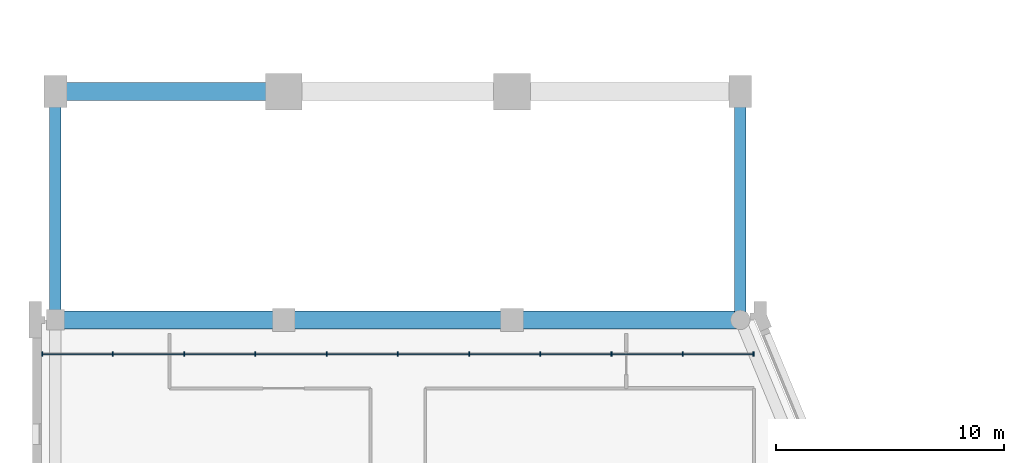
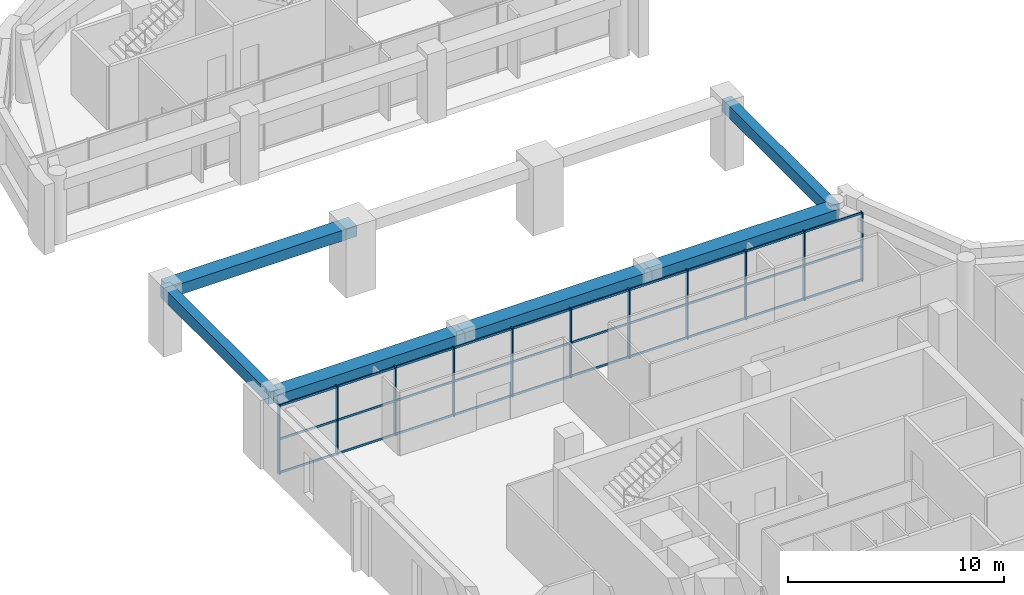
# One storey, part 2 of 11: 41 members, 6 beams, 1 element without a shape of its own.
"""IFC4 building model written with IfcOpenShell, lengths in metres."""

from ifc_helpers import new_model, si_unit, direction, frame, origin, origin_2d, place, context, subcontext, project, spatial, rectangle, extrude, material, layer, layer_set, material_profile, profile_set, type_object, element, aggregate, save


model = new_model("IFC4")

# Units and contexts
model_context = context("Model", 3, precision=1e-05, world=origin(), true_north=direction((0.0, 1.0)))
body_context = subcontext(model_context, "Body", "Model", "MODEL_VIEW")
ifc_project = project(units=[si_unit("LENGTHUNIT", "METRE"), si_unit("AREAUNIT", "SQUARE_METRE"), si_unit("VOLUMEUNIT", "CUBIC_METRE"), si_unit("PLANEANGLEUNIT", "RADIAN"), si_unit("MASSUNIT", "GRAM", prefix="KILO")], contexts=[model_context])

# Site, building, storey
site_placement = place(None, origin())
site = spatial("IfcSite", under=ifc_project, at=site_placement, CompositionType="ELEMENT")
building_placement = place(site_placement, origin())
building = spatial("IfcBuilding", under=site, at=building_placement, Name="Qaws Garden Tower", CompositionType="ELEMENT")
storey_placement = place(building_placement, frame((0.0, 0.0, 321.60009765625)))
storey = spatial("IfcBuildingStorey", under=building, at=storey_placement, Name="L78", CompositionType="ELEMENT", Elevation=321.60009765625)

# Curtain wall, members
ifc_material_1 = material(Name="Anodised aluminium curtain wall frame", Category="aluminium")
ifc_layer = layer(ifc_material_1, 0.159912109375)
ifc_layer_set = layer_set([ifc_layer], Name="Anodised aluminium curtain wall frame")
curtain_wall_type = type_object("IfcCurtainWallType", Name="CW5 portal screen curtain wall", PredefinedType="NOTDEFINED", material=ifc_layer_set)
curtain_wall_placement = place(storey_placement, origin())
curtain_wall = element("IfcCurtainWall", 1, at=curtain_wall_placement, inside=storey, type_object=curtain_wall_type, Name="CW5 Portal screen 0", PredefinedType="NOTDEFINED")
ifc_material_2 = material(Name="Anodised aluminium curtain wall frame", Category="aluminium")
ifc_material_profile_1 = material_profile(ifc_material_2, rectangle(XDim=0.199951171875, YDim=0.050048828125, at=origin_2d()), Name="AL 50x200")
ifc_profile_set_1 = profile_set([ifc_material_profile_1], Name="Anodised aluminium curtain wall frame")
member_type_1 = type_object("IfcMemberType", Name="CW5 mullion 50 x 200", PredefinedType="MULLION", material=ifc_profile_set_1)
member_1_placement = place(storey_placement, frame((-0.574951171875, 38.5, 0.0), z_axis=(0.0, 0.0, 1.0), x_axis=(0.0, 1.0, 0.0)))
member_1 = element("IfcMember", 2, at=member_1_placement, type_object=member_type_1, Name="CW5 mullion 1", PredefinedType="MULLION", context=body_context, shape_type="SweptSolid", body=[
    extrude(rectangle(XDim=0.199951171875, YDim=0.050048828125, at=origin_2d()), origin(), (0.0, 0.0, 1.0), 3.89990234375),
])
member_2_placement = place(storey_placement, frame((2.52001953125, 38.5, 0.0), z_axis=(0.0, 0.0, 1.0), x_axis=(0.0, 1.0, 0.0)))
member_2 = element("IfcMember", 3, at=member_2_placement, type_object=member_type_1, Name="CW5 mullion 2", PredefinedType="MULLION", context=body_context, shape_type="SweptSolid", body=[
    extrude(rectangle(XDim=0.199951171875, YDim=0.050048828125, at=origin_2d()), origin(), (0.0, 0.0, 1.0), 3.89990234375),
])
member_3_placement = place(storey_placement, frame((5.639892578125, 38.5, 0.0), z_axis=(0.0, 0.0, 1.0), x_axis=(0.0, 1.0, 0.0)))
member_3 = element("IfcMember", 4, at=member_3_placement, type_object=member_type_1, Name="CW5 mullion 3", PredefinedType="MULLION", context=body_context, shape_type="SweptSolid", body=[
    extrude(rectangle(XDim=0.199951171875, YDim=0.050048828125, at=origin_2d()), origin(), (0.0, 0.0, 1.0), 3.89990234375),
])
member_4_placement = place(storey_placement, frame((8.760009765625, 38.5, 0.0), z_axis=(0.0, 0.0, 1.0), x_axis=(0.0, 1.0, 0.0)))
member_4 = element("IfcMember", 5, at=member_4_placement, type_object=member_type_1, Name="CW5 mullion 4", PredefinedType="MULLION", context=body_context, shape_type="SweptSolid", body=[
    extrude(rectangle(XDim=0.199951171875, YDim=0.050048828125, at=origin_2d()), origin(), (0.0, 0.0, 1.0), 3.89990234375),
])
member_5_placement = place(storey_placement, frame((11.8798828125, 38.5, 0.0), z_axis=(0.0, 0.0, 1.0), x_axis=(0.0, 1.0, 0.0)))
member_5 = element("IfcMember", 6, at=member_5_placement, type_object=member_type_1, Name="CW5 mullion 5", PredefinedType="MULLION", context=body_context, shape_type="SweptSolid", body=[
    extrude(rectangle(XDim=0.199951171875, YDim=0.050048828125, at=origin_2d()), origin(), (0.0, 0.0, 1.0), 3.89990234375),
])
member_6_placement = place(storey_placement, frame((15.0, 38.5, 0.0), z_axis=(0.0, 0.0, 1.0), x_axis=(0.0, 1.0, 0.0)))
member_6 = element("IfcMember", 7, at=member_6_placement, type_object=member_type_1, Name="CW5 mullion 6", PredefinedType="MULLION", context=body_context, shape_type="SweptSolid", body=[
    extrude(rectangle(XDim=0.199951171875, YDim=0.050048828125, at=origin_2d()), origin(), (0.0, 0.0, 1.0), 3.89990234375),
])
member_7_placement = place(storey_placement, frame((18.1201171875, 38.5, 0.0), z_axis=(0.0, 0.0, 1.0), x_axis=(0.0, 1.0, 0.0)))
member_7 = element("IfcMember", 8, at=member_7_placement, type_object=member_type_1, Name="CW5 mullion 7", PredefinedType="MULLION", context=body_context, shape_type="SweptSolid", body=[
    extrude(rectangle(XDim=0.199951171875, YDim=0.050048828125, at=origin_2d()), origin(), (0.0, 0.0, 1.0), 3.89990234375),
])
member_8_placement = place(storey_placement, frame((21.239990234375, 38.5, 0.0), z_axis=(0.0, 0.0, 1.0), x_axis=(0.0, 1.0, 0.0)))
member_8 = element("IfcMember", 9, at=member_8_placement, type_object=member_type_1, Name="CW5 mullion 8", PredefinedType="MULLION", context=body_context, shape_type="SweptSolid", body=[
    extrude(rectangle(XDim=0.199951171875, YDim=0.050048828125, at=origin_2d()), origin(), (0.0, 0.0, 1.0), 3.89990234375),
])
member_9_placement = place(storey_placement, frame((24.360107421875, 38.5, 0.0), z_axis=(0.0, 0.0, 1.0), x_axis=(0.0, 1.0, 0.0)))
member_9 = element("IfcMember", 10, at=member_9_placement, type_object=member_type_1, Name="CW5 mullion 9", PredefinedType="MULLION", context=body_context, shape_type="SweptSolid", body=[
    extrude(rectangle(XDim=0.199951171875, YDim=0.050048828125, at=origin_2d()), origin(), (0.0, 0.0, 1.0), 3.89990234375),
])
member_10_placement = place(storey_placement, frame((27.47998046875, 38.5, 0.0), z_axis=(0.0, 0.0, 1.0), x_axis=(0.0, 1.0, 0.0)))
member_10 = element("IfcMember", 11, at=member_10_placement, type_object=member_type_1, Name="CW5 mullion 10", PredefinedType="MULLION", context=body_context, shape_type="SweptSolid", body=[
    extrude(rectangle(XDim=0.199951171875, YDim=0.050048828125, at=origin_2d()), origin(), (0.0, 0.0, 1.0), 3.89990234375),
])
member_11_placement = place(storey_placement, frame((30.574951171875, 38.5, 0.0), z_axis=(0.0, 0.0, 1.0), x_axis=(0.0, 1.0, 0.0)))
member_11 = element("IfcMember", 12, at=member_11_placement, type_object=member_type_1, Name="CW5 mullion 11", PredefinedType="MULLION", context=body_context, shape_type="SweptSolid", body=[
    extrude(rectangle(XDim=0.199951171875, YDim=0.050048828125, at=origin_2d()), origin(), (0.0, 0.0, 1.0), 3.89990234375),
])
ifc_material_3 = material(Name="Anodised aluminium curtain wall frame", Category="aluminium")
ifc_material_profile_2 = material_profile(ifc_material_3, rectangle(XDim=0.050048828125, YDim=0.1201171875, at=origin_2d()), Name="AL 50x120")
ifc_profile_set_2 = profile_set([ifc_material_profile_2], Name="Anodised aluminium curtain wall frame")
member_type_2 = type_object("IfcMemberType", Name="CW5 transom 120 x 50", PredefinedType="USERDEFINED", material=ifc_profile_set_2)
member_12_placement = place(storey_placement, frame((-0.550048828125, 38.5, 0.059814453125), z_axis=(1.0, 0.0, 0.0), x_axis=(0.0, 1.0, 0.0)))
member_12 = element("IfcMember", 13, at=member_12_placement, type_object=member_type_2, Name="CW5 transom 1.1", ObjectType="TRANSOM", PredefinedType="USERDEFINED", context=body_context, shape_type="SweptSolid", body=[
    extrude(rectangle(XDim=0.050048828125, YDim=0.1201171875, at=origin_2d()), origin(), (0.0, 0.0, 1.0), 3.045166015625),
])
member_13_placement = place(storey_placement, frame((-0.550048828125, 38.5, 1.949951171875), z_axis=(1.0, 0.0, 0.0), x_axis=(0.0, 1.0, 0.0)))
member_13 = element("IfcMember", 14, at=member_13_placement, type_object=member_type_2, Name="CW5 transom 1.2", ObjectType="TRANSOM", PredefinedType="USERDEFINED", context=body_context, shape_type="SweptSolid", body=[
    extrude(rectangle(XDim=0.050048828125, YDim=0.1201171875, at=origin_2d()), origin(), (0.0, 0.0, 1.0), 3.045166015625),
])
member_14_placement = place(storey_placement, frame((-0.550048828125, 38.5, 3.83984375), z_axis=(1.0, 0.0, 0.0), x_axis=(0.0, 1.0, 0.0)))
member_14 = element("IfcMember", 15, at=member_14_placement, type_object=member_type_2, Name="CW5 transom 1.3", ObjectType="TRANSOM", PredefinedType="USERDEFINED", context=body_context, shape_type="SweptSolid", body=[
    extrude(rectangle(XDim=0.050048828125, YDim=0.1201171875, at=origin_2d()), origin(), (0.0, 0.0, 1.0), 3.045166015625),
])
member_15_placement = place(storey_placement, frame((2.544921875, 38.5, 0.059814453125), z_axis=(1.0, 0.0, 0.0), x_axis=(0.0, 1.0, 0.0)))
member_15 = element("IfcMember", 16, at=member_15_placement, type_object=member_type_2, Name="CW5 transom 2.1", ObjectType="TRANSOM", PredefinedType="USERDEFINED", context=body_context, shape_type="SweptSolid", body=[
    extrude(rectangle(XDim=0.050048828125, YDim=0.1201171875, at=origin_2d()), origin(), (0.0, 0.0, 1.0), 3.070068359375),
])
member_16_placement = place(storey_placement, frame((2.544921875, 38.5, 1.949951171875), z_axis=(1.0, 0.0, 0.0), x_axis=(0.0, 1.0, 0.0)))
member_16 = element("IfcMember", 17, at=member_16_placement, type_object=member_type_2, Name="CW5 transom 2.2", ObjectType="TRANSOM", PredefinedType="USERDEFINED", context=body_context, shape_type="SweptSolid", body=[
    extrude(rectangle(XDim=0.050048828125, YDim=0.1201171875, at=origin_2d()), origin(), (0.0, 0.0, 1.0), 3.070068359375),
])
member_17_placement = place(storey_placement, frame((2.544921875, 38.5, 3.83984375), z_axis=(1.0, 0.0, 0.0), x_axis=(0.0, 1.0, 0.0)))
member_17 = element("IfcMember", 18, at=member_17_placement, type_object=member_type_2, Name="CW5 transom 2.3", ObjectType="TRANSOM", PredefinedType="USERDEFINED", context=body_context, shape_type="SweptSolid", body=[
    extrude(rectangle(XDim=0.050048828125, YDim=0.1201171875, at=origin_2d()), origin(), (0.0, 0.0, 1.0), 3.070068359375),
])
member_18_placement = place(storey_placement, frame((5.6650390625, 38.5, 0.059814453125), z_axis=(1.0, 0.0, 0.0), x_axis=(0.0, 1.0, 0.0)))
member_18 = element("IfcMember", 19, at=member_18_placement, type_object=member_type_2, Name="CW5 transom 3.1", ObjectType="TRANSOM", PredefinedType="USERDEFINED", context=body_context, shape_type="SweptSolid", body=[
    extrude(rectangle(XDim=0.050048828125, YDim=0.1201171875, at=origin_2d()), origin(), (0.0, 0.0, 1.0), 3.070068359375),
])
member_19_placement = place(storey_placement, frame((5.6650390625, 38.5, 1.949951171875), z_axis=(1.0, 0.0, 0.0), x_axis=(0.0, 1.0, 0.0)))
member_19 = element("IfcMember", 20, at=member_19_placement, type_object=member_type_2, Name="CW5 transom 3.2", ObjectType="TRANSOM", PredefinedType="USERDEFINED", context=body_context, shape_type="SweptSolid", body=[
    extrude(rectangle(XDim=0.050048828125, YDim=0.1201171875, at=origin_2d()), origin(), (0.0, 0.0, 1.0), 3.070068359375),
])
member_20_placement = place(storey_placement, frame((5.6650390625, 38.5, 3.83984375), z_axis=(1.0, 0.0, 0.0), x_axis=(0.0, 1.0, 0.0)))
member_20 = element("IfcMember", 21, at=member_20_placement, type_object=member_type_2, Name="CW5 transom 3.3", ObjectType="TRANSOM", PredefinedType="USERDEFINED", context=body_context, shape_type="SweptSolid", body=[
    extrude(rectangle(XDim=0.050048828125, YDim=0.1201171875, at=origin_2d()), origin(), (0.0, 0.0, 1.0), 3.070068359375),
])
member_21_placement = place(storey_placement, frame((8.784912109375, 38.5, 0.059814453125), z_axis=(1.0, 0.0, 0.0), x_axis=(0.0, 1.0, 0.0)))
member_21 = element("IfcMember", 22, at=member_21_placement, type_object=member_type_2, Name="CW5 transom 4.1", ObjectType="TRANSOM", PredefinedType="USERDEFINED", context=body_context, shape_type="SweptSolid", body=[
    extrude(rectangle(XDim=0.050048828125, YDim=0.1201171875, at=origin_2d()), origin(), (0.0, 0.0, 1.0), 3.070068359375),
])
member_22_placement = place(storey_placement, frame((8.784912109375, 38.5, 1.949951171875), z_axis=(1.0, 0.0, 0.0), x_axis=(0.0, 1.0, 0.0)))
member_22 = element("IfcMember", 23, at=member_22_placement, type_object=member_type_2, Name="CW5 transom 4.2", ObjectType="TRANSOM", PredefinedType="USERDEFINED", context=body_context, shape_type="SweptSolid", body=[
    extrude(rectangle(XDim=0.050048828125, YDim=0.1201171875, at=origin_2d()), origin(), (0.0, 0.0, 1.0), 3.070068359375),
])
member_23_placement = place(storey_placement, frame((8.784912109375, 38.5, 3.83984375), z_axis=(1.0, 0.0, 0.0), x_axis=(0.0, 1.0, 0.0)))
member_23 = element("IfcMember", 24, at=member_23_placement, type_object=member_type_2, Name="CW5 transom 4.3", ObjectType="TRANSOM", PredefinedType="USERDEFINED", context=body_context, shape_type="SweptSolid", body=[
    extrude(rectangle(XDim=0.050048828125, YDim=0.1201171875, at=origin_2d()), origin(), (0.0, 0.0, 1.0), 3.070068359375),
])
member_24_placement = place(storey_placement, frame((11.905029296875, 38.5, 0.059814453125), z_axis=(1.0, 0.0, 0.0), x_axis=(0.0, 1.0, 0.0)))
member_24 = element("IfcMember", 25, at=member_24_placement, type_object=member_type_2, Name="CW5 transom 5.1", ObjectType="TRANSOM", PredefinedType="USERDEFINED", context=body_context, shape_type="SweptSolid", body=[
    extrude(rectangle(XDim=0.050048828125, YDim=0.1201171875, at=origin_2d()), origin(), (0.0, 0.0, 1.0), 3.070068359375),
])
member_25_placement = place(storey_placement, frame((11.905029296875, 38.5, 1.949951171875), z_axis=(1.0, 0.0, 0.0), x_axis=(0.0, 1.0, 0.0)))
member_25 = element("IfcMember", 26, at=member_25_placement, type_object=member_type_2, Name="CW5 transom 5.2", ObjectType="TRANSOM", PredefinedType="USERDEFINED", context=body_context, shape_type="SweptSolid", body=[
    extrude(rectangle(XDim=0.050048828125, YDim=0.1201171875, at=origin_2d()), origin(), (0.0, 0.0, 1.0), 3.070068359375),
])
member_26_placement = place(storey_placement, frame((11.905029296875, 38.5, 3.83984375), z_axis=(1.0, 0.0, 0.0), x_axis=(0.0, 1.0, 0.0)))
member_26 = element("IfcMember", 27, at=member_26_placement, type_object=member_type_2, Name="CW5 transom 5.3", ObjectType="TRANSOM", PredefinedType="USERDEFINED", context=body_context, shape_type="SweptSolid", body=[
    extrude(rectangle(XDim=0.050048828125, YDim=0.1201171875, at=origin_2d()), origin(), (0.0, 0.0, 1.0), 3.070068359375),
])
member_27_placement = place(storey_placement, frame((15.02490234375, 38.5, 0.059814453125), z_axis=(1.0, 0.0, 0.0), x_axis=(0.0, 1.0, 0.0)))
member_27 = element("IfcMember", 28, at=member_27_placement, type_object=member_type_2, Name="CW5 transom 6.1", ObjectType="TRANSOM", PredefinedType="USERDEFINED", context=body_context, shape_type="SweptSolid", body=[
    extrude(rectangle(XDim=0.050048828125, YDim=0.1201171875, at=origin_2d()), origin(), (0.0, 0.0, 1.0), 3.070068359375),
])
member_28_placement = place(storey_placement, frame((15.02490234375, 38.5, 1.949951171875), z_axis=(1.0, 0.0, 0.0), x_axis=(0.0, 1.0, 0.0)))
member_28 = element("IfcMember", 29, at=member_28_placement, type_object=member_type_2, Name="CW5 transom 6.2", ObjectType="TRANSOM", PredefinedType="USERDEFINED", context=body_context, shape_type="SweptSolid", body=[
    extrude(rectangle(XDim=0.050048828125, YDim=0.1201171875, at=origin_2d()), origin(), (0.0, 0.0, 1.0), 3.070068359375),
])
member_29_placement = place(storey_placement, frame((15.02490234375, 38.5, 3.83984375), z_axis=(1.0, 0.0, 0.0), x_axis=(0.0, 1.0, 0.0)))
member_29 = element("IfcMember", 30, at=member_29_placement, type_object=member_type_2, Name="CW5 transom 6.3", ObjectType="TRANSOM", PredefinedType="USERDEFINED", context=body_context, shape_type="SweptSolid", body=[
    extrude(rectangle(XDim=0.050048828125, YDim=0.1201171875, at=origin_2d()), origin(), (0.0, 0.0, 1.0), 3.070068359375),
])
member_30_placement = place(storey_placement, frame((18.14501953125, 38.5, 0.059814453125), z_axis=(1.0, 0.0, 0.0), x_axis=(0.0, 1.0, 0.0)))
member_30 = element("IfcMember", 31, at=member_30_placement, type_object=member_type_2, Name="CW5 transom 7.1", ObjectType="TRANSOM", PredefinedType="USERDEFINED", context=body_context, shape_type="SweptSolid", body=[
    extrude(rectangle(XDim=0.050048828125, YDim=0.1201171875, at=origin_2d()), origin(), (0.0, 0.0, 1.0), 3.070068359375),
])
member_31_placement = place(storey_placement, frame((18.14501953125, 38.5, 1.949951171875), z_axis=(1.0, 0.0, 0.0), x_axis=(0.0, 1.0, 0.0)))
member_31 = element("IfcMember", 32, at=member_31_placement, type_object=member_type_2, Name="CW5 transom 7.2", ObjectType="TRANSOM", PredefinedType="USERDEFINED", context=body_context, shape_type="SweptSolid", body=[
    extrude(rectangle(XDim=0.050048828125, YDim=0.1201171875, at=origin_2d()), origin(), (0.0, 0.0, 1.0), 3.070068359375),
])
member_32_placement = place(storey_placement, frame((18.14501953125, 38.5, 3.83984375), z_axis=(1.0, 0.0, 0.0), x_axis=(0.0, 1.0, 0.0)))
member_32 = element("IfcMember", 33, at=member_32_placement, type_object=member_type_2, Name="CW5 transom 7.3", ObjectType="TRANSOM", PredefinedType="USERDEFINED", context=body_context, shape_type="SweptSolid", body=[
    extrude(rectangle(XDim=0.050048828125, YDim=0.1201171875, at=origin_2d()), origin(), (0.0, 0.0, 1.0), 3.070068359375),
])
member_33_placement = place(storey_placement, frame((21.264892578125, 38.5, 0.059814453125), z_axis=(1.0, 0.0, 0.0), x_axis=(0.0, 1.0, 0.0)))
member_33 = element("IfcMember", 34, at=member_33_placement, type_object=member_type_2, Name="CW5 transom 8.1", ObjectType="TRANSOM", PredefinedType="USERDEFINED", context=body_context, shape_type="SweptSolid", body=[
    extrude(rectangle(XDim=0.050048828125, YDim=0.1201171875, at=origin_2d()), origin(), (0.0, 0.0, 1.0), 3.070068359375),
])
member_34_placement = place(storey_placement, frame((21.264892578125, 38.5, 1.949951171875), z_axis=(1.0, 0.0, 0.0), x_axis=(0.0, 1.0, 0.0)))
member_34 = element("IfcMember", 35, at=member_34_placement, type_object=member_type_2, Name="CW5 transom 8.2", ObjectType="TRANSOM", PredefinedType="USERDEFINED", context=body_context, shape_type="SweptSolid", body=[
    extrude(rectangle(XDim=0.050048828125, YDim=0.1201171875, at=origin_2d()), origin(), (0.0, 0.0, 1.0), 3.070068359375),
])
member_35_placement = place(storey_placement, frame((21.264892578125, 38.5, 3.83984375), z_axis=(1.0, 0.0, 0.0), x_axis=(0.0, 1.0, 0.0)))
member_35 = element("IfcMember", 36, at=member_35_placement, type_object=member_type_2, Name="CW5 transom 8.3", ObjectType="TRANSOM", PredefinedType="USERDEFINED", context=body_context, shape_type="SweptSolid", body=[
    extrude(rectangle(XDim=0.050048828125, YDim=0.1201171875, at=origin_2d()), origin(), (0.0, 0.0, 1.0), 3.070068359375),
])
member_36_placement = place(storey_placement, frame((24.385009765625, 38.5, 0.059814453125), z_axis=(1.0, 0.0, 0.0), x_axis=(0.0, 1.0, 0.0)))
member_36 = element("IfcMember", 37, at=member_36_placement, type_object=member_type_2, Name="CW5 transom 9.1", ObjectType="TRANSOM", PredefinedType="USERDEFINED", context=body_context, shape_type="SweptSolid", body=[
    extrude(rectangle(XDim=0.050048828125, YDim=0.1201171875, at=origin_2d()), origin(), (0.0, 0.0, 1.0), 3.070068359375),
])
member_37_placement = place(storey_placement, frame((24.385009765625, 38.5, 1.949951171875), z_axis=(1.0, 0.0, 0.0), x_axis=(0.0, 1.0, 0.0)))
member_37 = element("IfcMember", 38, at=member_37_placement, type_object=member_type_2, Name="CW5 transom 9.2", ObjectType="TRANSOM", PredefinedType="USERDEFINED", context=body_context, shape_type="SweptSolid", body=[
    extrude(rectangle(XDim=0.050048828125, YDim=0.1201171875, at=origin_2d()), origin(), (0.0, 0.0, 1.0), 3.070068359375),
])
member_38_placement = place(storey_placement, frame((24.385009765625, 38.5, 3.83984375), z_axis=(1.0, 0.0, 0.0), x_axis=(0.0, 1.0, 0.0)))
member_38 = element("IfcMember", 39, at=member_38_placement, type_object=member_type_2, Name="CW5 transom 9.3", ObjectType="TRANSOM", PredefinedType="USERDEFINED", context=body_context, shape_type="SweptSolid", body=[
    extrude(rectangle(XDim=0.050048828125, YDim=0.1201171875, at=origin_2d()), origin(), (0.0, 0.0, 1.0), 3.070068359375),
])
member_39_placement = place(storey_placement, frame((27.5048828125, 38.5, 0.059814453125), z_axis=(1.0, 0.0, 0.0), x_axis=(0.0, 1.0, 0.0)))
member_39 = element("IfcMember", 40, at=member_39_placement, type_object=member_type_2, Name="CW5 transom 10.1", ObjectType="TRANSOM", PredefinedType="USERDEFINED", context=body_context, shape_type="SweptSolid", body=[
    extrude(rectangle(XDim=0.050048828125, YDim=0.1201171875, at=origin_2d()), origin(), (0.0, 0.0, 1.0), 3.045166015625),
])
member_40_placement = place(storey_placement, frame((27.5048828125, 38.5, 1.949951171875), z_axis=(1.0, 0.0, 0.0), x_axis=(0.0, 1.0, 0.0)))
member_40 = element("IfcMember", 41, at=member_40_placement, type_object=member_type_2, Name="CW5 transom 10.2", ObjectType="TRANSOM", PredefinedType="USERDEFINED", context=body_context, shape_type="SweptSolid", body=[
    extrude(rectangle(XDim=0.050048828125, YDim=0.1201171875, at=origin_2d()), origin(), (0.0, 0.0, 1.0), 3.045166015625),
])
member_41_placement = place(storey_placement, frame((27.5048828125, 38.5, 3.83984375), z_axis=(1.0, 0.0, 0.0), x_axis=(0.0, 1.0, 0.0)))
member_41 = element("IfcMember", 42, at=member_41_placement, type_object=member_type_2, Name="CW5 transom 10.3", ObjectType="TRANSOM", PredefinedType="USERDEFINED", context=body_context, shape_type="SweptSolid", body=[
    extrude(rectangle(XDim=0.050048828125, YDim=0.1201171875, at=origin_2d()), origin(), (0.0, 0.0, 1.0), 3.045166015625),
])
aggregate(curtain_wall, [member_1, member_2, member_3, member_4, member_5, member_6, member_7, member_8, member_9, member_10, member_11, member_12, member_13, member_14, member_15, member_16, member_17, member_18, member_19, member_20, member_21, member_22, member_23, member_24, member_25, member_26, member_27, member_28, member_29, member_30, member_31, member_32, member_33, member_34, member_35, member_36, member_37, member_38, member_39, member_40, member_41])

# Beams
ifc_material_4 = material(Name="Concrete C45", Category="concrete")
ifc_material_profile_3 = material_profile(ifc_material_4, rectangle(XDim=0.800048828125, YDim=0.60009765625, at=origin_2d()), Name="RC 800x600")
ifc_profile_set_3 = profile_set([ifc_material_profile_3], Name="Concrete C45")
beam_type_1 = type_object("IfcBeamType", Name="Portal edge beam RC 800x600 C45", PredefinedType="BEAM", material=ifc_profile_set_3)
for number, where, z_axis, x_axis, name in (
    (43, (0.0, 40.0, 3.27978515625), (1.0, 0.0, 0.0), (0.0, 1.0, 0.0), "Portal edge beam L78-1"),
    (44, (10.0, 40.0, 3.27978515625), (1.0, 0.0, 0.0), (0.0, 1.0, 0.0), "Portal edge beam L78-2"),
    (45, (20.0, 40.0, 3.27978515625), (1.0, 0.0, 0.0), (0.0, 1.0, 0.0), "Portal edge beam L78-3"),
    (46, (0.0, 50.0, 3.27978515625), (1.0, 0.0, 0.0), (0.0, 1.0, 0.0), "Portal tie beam L78-4"),
):
    element("IfcBeam", number, at=place(storey_placement, frame(where, z_axis=z_axis, x_axis=x_axis)), inside=storey, type_object=beam_type_1, Name=name, PredefinedType="BEAM", context=body_context, shape_type="SweptSolid", body=[
        extrude(rectangle(XDim=0.800048828125, YDim=0.60009765625, at=origin_2d()), origin(), (0.0, 0.0, 1.0), 10.0),
    ])
ifc_material_5 = material(Name="Concrete C45", Category="concrete")
ifc_material_profile_4 = material_profile(ifc_material_5, rectangle(XDim=0.5, YDim=0.699951171875, at=origin_2d()), Name="RC 500x700")
ifc_profile_set_4 = profile_set([ifc_material_profile_4], Name="Concrete C45")
beam_type_2 = type_object("IfcBeamType", Name="Spandrel beam RC 500x700 C45", PredefinedType="SPANDREL", material=ifc_profile_set_4)
for number, where, z_axis, x_axis, name in (
    (47, (30.0, 40.0, 3.22998046875), (0.0, 1.0, 0.0), (-1.0, 0.0, 0.0), "Spandrel beam L78-008"),
    (48, (0.0, 50.0, 3.22998046875), (0.0, -1.0, 0.0), (1.0, 0.0, 0.0), "Spandrel beam L78-013"),
):
    element("IfcBeam", number, at=place(storey_placement, frame(where, z_axis=z_axis, x_axis=x_axis)), inside=storey, type_object=beam_type_2, Name=name, PredefinedType="SPANDREL", context=body_context, shape_type="SweptSolid", body=[
        extrude(rectangle(XDim=0.5, YDim=0.699951171875, at=origin_2d()), origin(), (0.0, 0.0, 1.0), 10.0),
    ])

save(model, "model.ifc")
